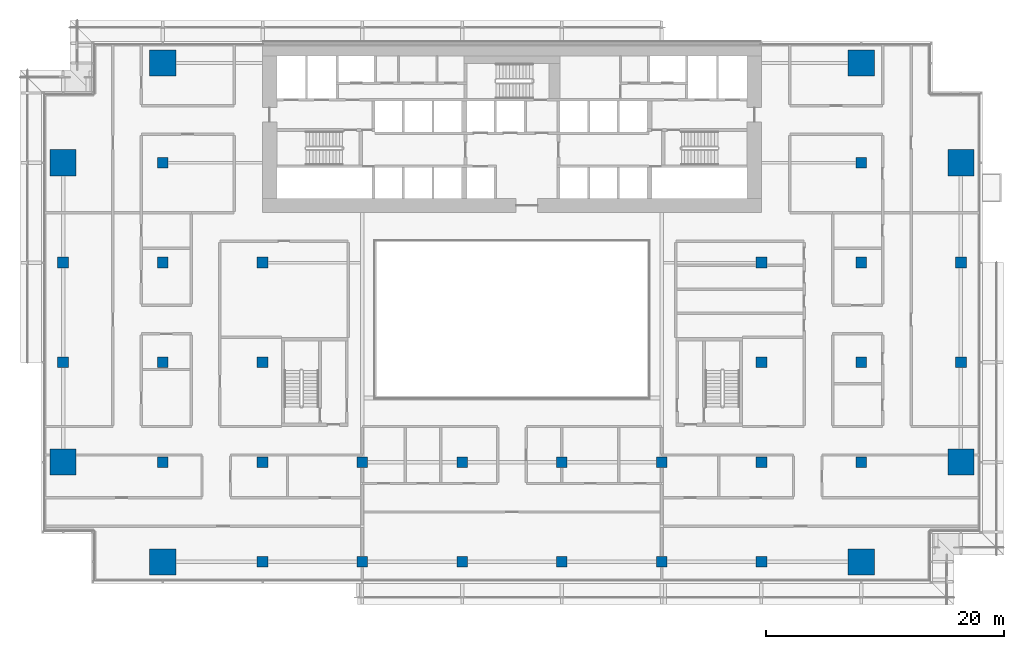
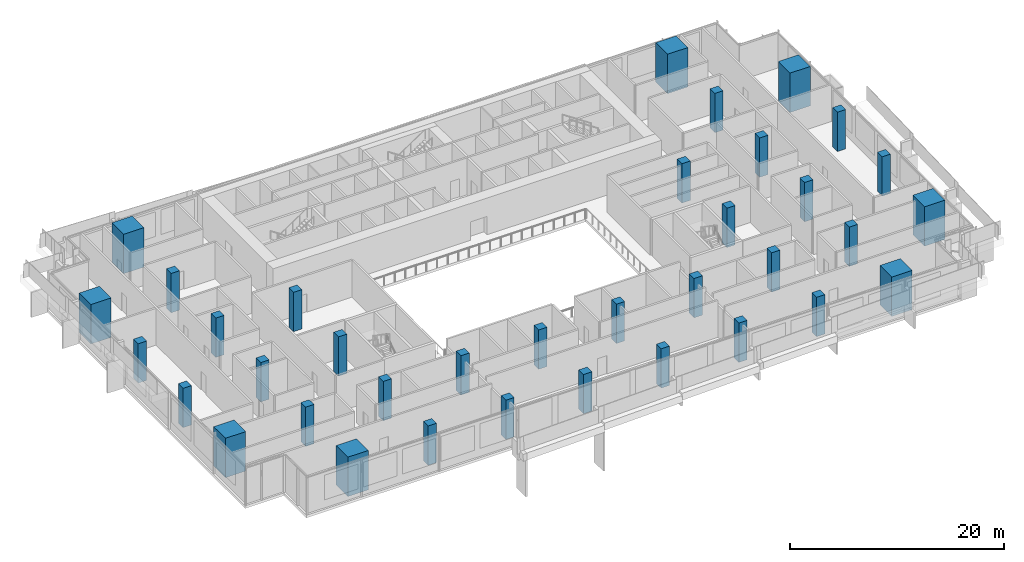
# One storey, part 1 of 24: 36 columns.
"""IFC4 building model written with IfcOpenShell, lengths in metres."""

from ifc_helpers import new_model, si_unit, direction, frame, origin, origin_2d, place, context, subcontext, project, spatial, rectangle, extrude, material, material_profile, profile_set, type_object, element, save


model = new_model("IFC4")

# Units and contexts
model_context = context("Model", 3, precision=1e-05, world=origin(), true_north=direction((0.0, 1.0)))
body_context = subcontext(model_context, "Body", "Model", "MODEL_VIEW")
ifc_project = project(units=[si_unit("LENGTHUNIT", "METRE"), si_unit("AREAUNIT", "SQUARE_METRE"), si_unit("VOLUMEUNIT", "CUBIC_METRE"), si_unit("PLANEANGLEUNIT", "RADIAN"), si_unit("MASSUNIT", "GRAM", prefix="KILO")], contexts=[model_context])

# Site, building, storey
site_placement = place(None, origin())
site = spatial("IfcSite", under=ifc_project, at=site_placement, CompositionType="ELEMENT")
building_placement = place(site_placement, origin())
building = spatial("IfcBuilding", under=site, at=building_placement, Name="Saffron Gate Tower", CompositionType="ELEMENT")
storey_placement = place(building_placement, frame((0.0, 0.0, 28.199951171875)))
storey = spatial("IfcBuildingStorey", under=building, at=storey_placement, Name="L05", CompositionType="ELEMENT", Elevation=28.199951171875)

# Columns
ifc_material_1 = material(Name="Concrete C60", Category="concrete")
ifc_material_profile_1 = material_profile(ifc_material_1, rectangle(XDim=0.89990234375, YDim=0.89990234375, at=origin_2d()))
ifc_profile_set_1 = profile_set([ifc_material_profile_1], Name="Concrete C60")
column_type_1 = type_object("IfcColumnType", Name="C6 RC 900x900 CONCRETE C60", PredefinedType="COLUMN", material=ifc_profile_set_1)
for number, where, z_axis, x_axis, name in (
    (1, (49.800048828125, 48.60009765625, 0.0), (0.0, 0.0, 1.0), (1.0, 0.0, 0.0), "C6 COLUMN X1-C"),
    (2, (49.800048828125, 57.0, 0.0), (0.0, 0.0, 1.0), (1.0, 0.0, 0.0), "C6 COLUMN X1-D"),
    (3, (58.199951171875, 40.199951171875, 0.0), (0.0, 0.0, 1.0), (1.0, 0.0, 0.0), "C6 COLUMN X2-B"),
    (4, (58.199951171875, 48.60009765625, 0.0), (0.0, 0.0, 1.0), (1.0, 0.0, 0.0), "C6 COLUMN X2-C"),
    (5, (58.199951171875, 57.0, 0.0), (0.0, 0.0, 1.0), (1.0, 0.0, 0.0), "C6 COLUMN X2-D"),
    (6, (58.199951171875, 65.39990234375, 0.0), (0.0, 0.0, 1.0), (1.0, 0.0, 0.0), "C6 COLUMN X2-E"),
    (7, (66.60009765625, 31.800048828125, 0.0), (0.0, 0.0, 1.0), (1.0, 0.0, 0.0), "C6 COLUMN X3-A"),
    (8, (66.60009765625, 40.199951171875, 0.0), (0.0, 0.0, 1.0), (1.0, 0.0, 0.0), "C6 COLUMN X3-B"),
    (9, (66.60009765625, 48.60009765625, 0.0), (0.0, 0.0, 1.0), (1.0, 0.0, 0.0), "C6 COLUMN X3-C"),
    (10, (66.60009765625, 57.0, 0.0), (0.0, 0.0, 1.0), (1.0, 0.0, 0.0), "C6 COLUMN X3-D"),
    (11, (75.0, 31.800048828125, 0.0), (0.0, 0.0, 1.0), (1.0, 0.0, 0.0), "C6 COLUMN X4-A"),
    (12, (75.0, 40.199951171875, 0.0), (0.0, 0.0, 1.0), (1.0, 0.0, 0.0), "C6 COLUMN X4-B"),
    (13, (83.39990234375, 31.800048828125, 0.0), (0.0, 0.0, 1.0), (1.0, 0.0, 0.0), "C6 COLUMN X5-A"),
    (14, (83.39990234375, 40.199951171875, 0.0), (0.0, 0.0, 1.0), (1.0, 0.0, 0.0), "C6 COLUMN X5-B"),
    (15, (91.800048828125, 31.800048828125, 0.0), (0.0, 0.0, 1.0), (1.0, 0.0, 0.0), "C6 COLUMN X6-A"),
    (16, (91.800048828125, 40.199951171875, 0.0), (0.0, 0.0, 1.0), (1.0, 0.0, 0.0), "C6 COLUMN X6-B"),
    (17, (100.199951171875, 31.800048828125, 0.0), (0.0, 0.0, 1.0), (1.0, 0.0, 0.0), "C6 COLUMN X7-A"),
    (18, (100.199951171875, 40.199951171875, 0.0), (0.0, 0.0, 1.0), (1.0, 0.0, 0.0), "C6 COLUMN X7-B"),
    (19, (108.60009765625, 31.800048828125, 0.0), (0.0, 0.0, 1.0), (1.0, 0.0, 0.0), "C6 COLUMN X8-A"),
    (20, (108.60009765625, 40.199951171875, 0.0), (0.0, 0.0, 1.0), (1.0, 0.0, 0.0), "C6 COLUMN X8-B"),
    (21, (108.60009765625, 48.60009765625, 0.0), (0.0, 0.0, 1.0), (1.0, 0.0, 0.0), "C6 COLUMN X8-C"),
    (22, (108.60009765625, 57.0, 0.0), (0.0, 0.0, 1.0), (1.0, 0.0, 0.0), "C6 COLUMN X8-D"),
    (23, (117.0, 40.199951171875, 0.0), (0.0, 0.0, 1.0), (1.0, 0.0, 0.0), "C6 COLUMN X9-B"),
    (24, (117.0, 48.60009765625, 0.0), (0.0, 0.0, 1.0), (1.0, 0.0, 0.0), "C6 COLUMN X9-C"),
    (25, (117.0, 57.0, 0.0), (0.0, 0.0, 1.0), (1.0, 0.0, 0.0), "C6 COLUMN X9-D"),
    (26, (117.0, 65.39990234375, 0.0), (0.0, 0.0, 1.0), (1.0, 0.0, 0.0), "C6 COLUMN X9-E"),
    (27, (125.39990234375, 48.60009765625, 0.0), (0.0, 0.0, 1.0), (1.0, 0.0, 0.0), "C6 COLUMN X10-C"),
    (28, (125.39990234375, 57.0, 0.0), (0.0, 0.0, 1.0), (1.0, 0.0, 0.0), "C6 COLUMN X10-D"),
):
    element("IfcColumn", number, at=place(storey_placement, frame(where, z_axis=z_axis, x_axis=x_axis)), inside=storey, type_object=column_type_1, Name=name, PredefinedType="COLUMN", context=body_context, shape_type="SweptSolid", body=[
        extrude(rectangle(XDim=0.89990234375, YDim=0.89990234375, at=origin_2d()), origin(), (0.0, 0.0, 1.0), 4.5),
    ])
ifc_material_2 = material(Name="Concrete C80", Category="concrete")
ifc_material_profile_2 = material_profile(ifc_material_2, rectangle(XDim=2.199951171875, YDim=2.199951171875, at=origin_2d()))
ifc_profile_set_2 = profile_set([ifc_material_profile_2], Name="Concrete C80")
column_type_2 = type_object("IfcColumnType", Name="MC4 RC 2200x2200 CONCRETE C80", PredefinedType="COLUMN", material=ifc_profile_set_2)
for number, where, z_axis, x_axis, name in (
    (29, (49.800048828125, 40.199951171875, 0.0), (0.0, 0.0, 1.0), (1.0, 0.0, 0.0), "MC4 MEGA COLUMN X1-B"),
    (30, (49.800048828125, 65.39990234375, 0.0), (0.0, 0.0, 1.0), (1.0, 0.0, 0.0), "MC4 MEGA COLUMN X1-E"),
    (31, (58.199951171875, 31.800048828125, 0.0), (0.0, 0.0, 1.0), (1.0, 0.0, 0.0), "MC4 MEGA COLUMN X2-A"),
    (32, (58.199951171875, 73.800048828125, 0.0), (0.0, 0.0, 1.0), (1.0, 0.0, 0.0), "MC4 MEGA COLUMN X2-F"),
    (33, (117.0, 31.800048828125, 0.0), (0.0, 0.0, 1.0), (1.0, 0.0, 0.0), "MC4 MEGA COLUMN X9-A"),
    (34, (117.0, 73.800048828125, 0.0), (0.0, 0.0, 1.0), (1.0, 0.0, 0.0), "MC4 MEGA COLUMN X9-F"),
    (35, (125.39990234375, 40.199951171875, 0.0), (0.0, 0.0, 1.0), (1.0, 0.0, 0.0), "MC4 MEGA COLUMN X10-B"),
    (36, (125.39990234375, 65.39990234375, 0.0), (0.0, 0.0, 1.0), (1.0, 0.0, 0.0), "MC4 MEGA COLUMN X10-E"),
):
    element("IfcColumn", number, at=place(storey_placement, frame(where, z_axis=z_axis, x_axis=x_axis)), inside=storey, type_object=column_type_2, Name=name, PredefinedType="COLUMN", context=body_context, shape_type="SweptSolid", body=[
        extrude(rectangle(XDim=2.199951171875, YDim=2.199951171875, at=origin_2d()), origin(), (0.0, 0.0, 1.0), 4.5),
    ])

save(model, "model.ifc")
